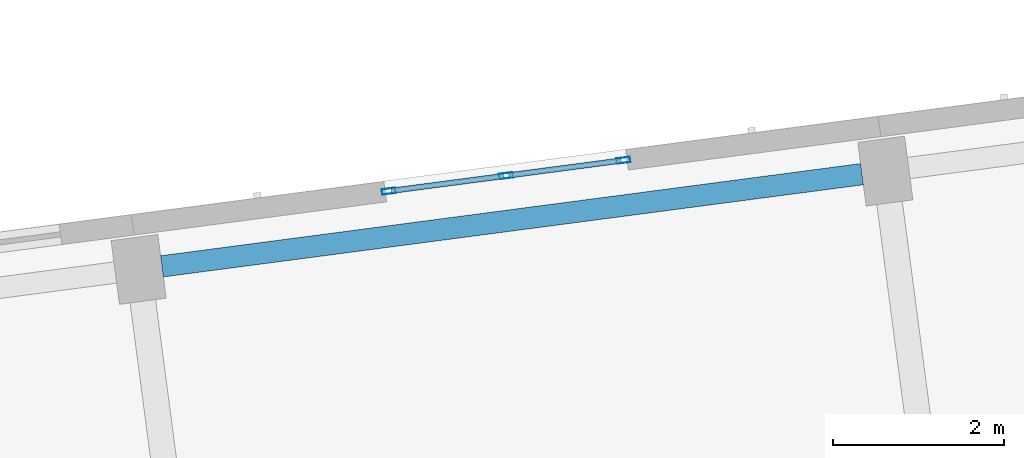
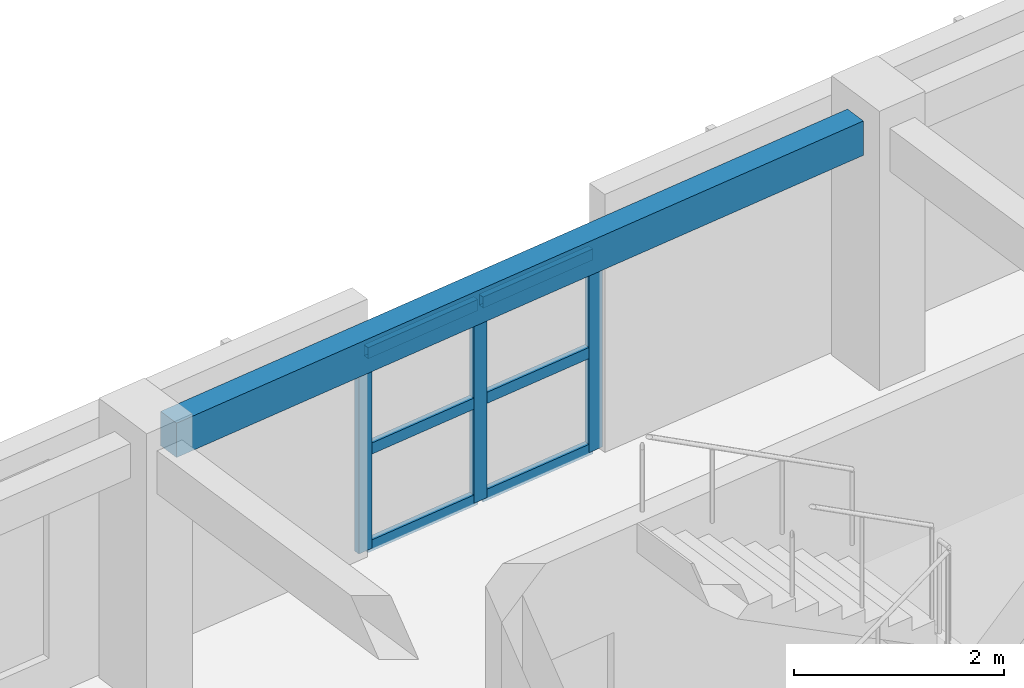
# One storey, part 34 of 127: 9 members, 1 beam, 1 element without a shape of its own.
"""IFC4 building model written with IfcOpenShell, lengths in metres."""

import ifcopenshell
import ifcopenshell.guid

model = None  # the IFC model being written
_history = None  # IfcOwnerHistory: only IFC2X3 demands one
_inside = {}  # id of a spatial element -> (the spatial element, [elements in it])
_under = {}  # id of a project, library or spatial element -> (it, [spatial elements below it])
_declared = {}  # id of a project -> (the project, [libraries it declares])
_typed = {}  # id of a type object -> (the type object, [elements of that type])
_made_of = {}  # id of a material, layer set ... -> (it, [elements and type objects made of it])


def new_model(schema):
    """Start an empty IFC model of exactly this schema.

    Asked for "IFC4X3", IfcOpenShell would pick the latest addendum, in which some entities
    have other attributes; the version numbers below select the first issue.
    IFC2X3 requires an IfcOwnerHistory on every rooted entity: one is made here for all.
    """
    global model, _history
    if schema == "IFC4X3":
        model = ifcopenshell.file(schema_version=(4, 3, 0, 0))
    else:
        model = ifcopenshell.file(schema=schema)
    _inside.clear()
    _under.clear()
    _declared.clear()
    _typed.clear()
    _made_of.clear()
    _history = None
    if model.schema == "IFC2X3":
        org = make("IfcOrganization", Name="unknown")
        user = make(
            "IfcPersonAndOrganization",
            ThePerson=make("IfcPerson", FamilyName="unknown"),
            TheOrganization=org,
        )
        app = make(
            "IfcApplication",
            ApplicationDeveloper=org,
            Version="unknown",
            ApplicationFullName="unknown",
            ApplicationIdentifier="unknown",
        )
        _history = make(
            "IfcOwnerHistory",
            OwningUser=user,
            OwningApplication=app,
            ChangeAction="ADDED",
            CreationDate=0,
        )
    return model


def make(cls, **values):
    """One entity of the class cls with the attributes given. An attribute that is None is left unset."""
    return model.create_entity(
        cls, **{name: value for name, value in values.items() if value is not None}
    )


def rooted(cls, **values):
    """An entity with a GlobalId (a new one), such as an element, a storey or a relation."""
    return make(cls, GlobalId=ifcopenshell.guid.new(), OwnerHistory=_history, **values)


def si_unit(unit_type, name, prefix=None):
    """IfcSIUnit, for example si_unit("LENGTHUNIT", "METRE", prefix="MILLI")."""
    return make("IfcSIUnit", UnitType=unit_type, Prefix=prefix, Name=name)


def assignment(units):
    """IfcUnitAssignment: the units of a project."""
    return None if units is None else make("IfcUnitAssignment", Units=units)


def point(xyz):
    """IfcCartesianPoint."""
    return None if xyz is None else make("IfcCartesianPoint", Coordinates=xyz)


def direction(xyz):
    """IfcDirection."""
    return None if xyz is None else make("IfcDirection", DirectionRatios=xyz)


def frame(location, z_axis=None, x_axis=None):
    """IfcAxis2Placement3D, a coordinate frame: its origin and axes. An axis left out is left unset."""
    return make(
        "IfcAxis2Placement3D",
        Location=point(location),
        Axis=direction(z_axis),
        RefDirection=direction(x_axis),
    )


def frame_2d(location, x_axis=None):
    """IfcAxis2Placement2D, a coordinate frame in the plane: its origin and x axis."""
    return make(
        "IfcAxis2Placement2D", Location=point(location), RefDirection=direction(x_axis)
    )


def origin():
    """The frame at (0, 0, 0) with its axes left unset."""
    return frame((0.0, 0.0, 0.0))


def origin_2d():
    """The frame at (0, 0) in the plane with its x axis left unset."""
    return frame_2d((0.0, 0.0))


def place(relative_to, where):
    """IfcLocalPlacement: puts the frame where relative to a parent placement (None: the world)."""
    return make(
        "IfcLocalPlacement", PlacementRelTo=relative_to, RelativePlacement=where
    )


def context(
    kind, dimensions, precision=None, world=None, true_north=None, identifier=None
):
    """IfcGeometricRepresentationContext, for example the 3D "Model" context."""
    return make(
        "IfcGeometricRepresentationContext",
        ContextIdentifier=identifier,
        ContextType=kind,
        CoordinateSpaceDimension=dimensions,
        Precision=precision,
        WorldCoordinateSystem=world,
        TrueNorth=true_north,
    )


def subcontext(parent, identifier, kind, view, scale=None):
    """IfcGeometricRepresentationSubContext, for example "Body" below "Model"."""
    return make(
        "IfcGeometricRepresentationSubContext",
        ContextIdentifier=identifier,
        ContextType=kind,
        ParentContext=parent,
        TargetScale=scale,
        TargetView=view,
    )


def project(units=None, contexts=None):
    """IfcProject with its units and contexts."""
    return rooted(
        "IfcProject",
        Name="project",
        RepresentationContexts=contexts,
        UnitsInContext=assignment(units),
    )


def spatial(cls, under=None, at=None, **own):
    """A site, building, storey or space (cls), placed at a placement, below another one or the project."""
    s = rooted(cls, ObjectPlacement=at, **own)
    if under is not None:
        _under.setdefault(under.id(), (under, []))[1].append(s)
    return s


def profile(cls, at=None, kind="AREA", **sizes):
    """A parametric profile (cls). Its sizes go by their IFC names, for example OverallWidth=200.0."""
    return make(cls, ProfileType=kind, Position=at, **sizes)


def rectangle(**sizes):
    """IfcRectangleProfileDef."""
    return profile("IfcRectangleProfileDef", **sizes)


def hollow_rectangle(**sizes):
    """IfcRectangleHollowProfileDef."""
    return profile("IfcRectangleHollowProfileDef", **sizes)


def extrude(swept, where, along, depth):
    """IfcExtrudedAreaSolid: the profile swept, set in the frame where, extruded along a direction by depth."""
    return make(
        "IfcExtrudedAreaSolid",
        SweptArea=swept,
        Position=where,
        ExtrudedDirection=direction(along),
        Depth=depth,
    )


def shape(context_of_items, identifier, shape_type, items):
    """IfcShapeRepresentation: the items that make up one representation, for example the "Body"."""
    return make(
        "IfcShapeRepresentation",
        ContextOfItems=context_of_items,
        RepresentationIdentifier=identifier,
        RepresentationType=shape_type,
        Items=items,
    )


def material(Name=None, Category=None):
    """IfcMaterial."""
    return make("IfcMaterial", Name=Name, Category=Category)


def material_profile(
    of_material, cross_section, Name=None, Category=None, Priority=None
):
    """IfcMaterialProfile: a cross section and its material."""
    return make(
        "IfcMaterialProfile",
        Name=Name,
        Material=of_material,
        Profile=cross_section,
        Priority=Priority,
        Category=Category,
    )


def profile_set(profiles, Name=None, composite=None):
    """IfcMaterialProfileSet."""
    return make(
        "IfcMaterialProfileSet",
        Name=Name,
        MaterialProfiles=profiles,
        CompositeProfile=composite,
    )


def made_of(thing, what):
    """Note that an element or type object is made of a material, layer set ...; save() writes the relation."""
    if what is not None:
        _made_of.setdefault(what.id(), (what, []))[1].append(thing)
    return thing


def type_object(cls, material=None, **own):
    """A type object (cls), such as IfcWallType, which elements share."""
    return made_of(rooted(cls, **own), material)


def element(
    cls,
    number,
    at=None,
    inside=None,
    cuts=None,
    type_object=None,
    material=None,
    context=None,
    identifier="Body",
    shape_type=None,
    held_by="IfcProductDefinitionShape",
    body=None,
    shapes=None,
    **own,
):
    """One element of the class cls, such as IfcWall. Its Tag is "e" and its number.

    at: its placement. inside: the storey or other place that contains it. cuts: it is an
    opening in that element (IfcRelVoidsElement). A single representation is given by context,
    identifier, shape_type and body (its items); several are given by shapes. held_by: the class
    of the entity that holds the representations. save() writes the other relations.
    """
    e = rooted(cls, Tag="e%d" % number, ObjectPlacement=at, **own)
    if body is not None:
        shapes = [shape(context, identifier, shape_type, body)]
    if shapes is not None:
        e.Representation = make(held_by, Representations=shapes)
    if inside is not None:
        _inside.setdefault(inside.id(), (inside, []))[1].append(e)
    if cuts is not None:
        rooted(
            "IfcRelVoidsElement", RelatingBuildingElement=cuts, RelatedOpeningElement=e
        )
    if type_object is not None:
        _typed.setdefault(type_object.id(), (type_object, []))[1].append(e)
    return made_of(e, material)


def aggregate(whole, parts):
    """IfcRelAggregates: a whole, such as a stair, and the parts it consists of."""
    return rooted("IfcRelAggregates", RelatingObject=whole, RelatedObjects=parts)


def save(model, path):
    """Write the relations noted so far, then the file.

    IfcRelAggregates (storeys below a building ...), IfcRelContainedInSpatialStructure (elements
    in a storey), IfcRelDefinesByType, IfcRelAssociatesMaterial and IfcRelDeclares: one each for
    every whole, place, type object, material and project.
    """
    for whole, parts in _under.values():
        aggregate(whole, parts)
    for where, things in _inside.values():
        rooted(
            "IfcRelContainedInSpatialStructure",
            RelatedElements=things,
            RelatingStructure=where,
        )
    for kind, things in _typed.values():
        rooted("IfcRelDefinesByType", RelatedObjects=things, RelatingType=kind)
    for what, things in _made_of.values():
        rooted("IfcRelAssociatesMaterial", RelatedObjects=things, RelatingMaterial=what)
    for by, libraries in _declared.values():
        rooted("IfcRelDeclares", RelatingContext=by, RelatedDefinitions=libraries)
    model.write(path)


model = new_model("IFC4")

# Units and contexts
model_context = context("Model", 3, precision=1e-05, world=origin(), true_north=direction((0.0, 1.0)))
body_context = subcontext(model_context, "Body", "Model", "MODEL_VIEW")
ifc_project = project(units=[si_unit("LENGTHUNIT", "METRE"), si_unit("AREAUNIT", "SQUARE_METRE"), si_unit("VOLUMEUNIT", "CUBIC_METRE"), si_unit("PLANEANGLEUNIT", "RADIAN"), si_unit("MASSUNIT", "GRAM", prefix="KILO")], contexts=[model_context])

# Site, building, storey
site_placement = place(None, origin())
site = spatial("IfcSite", under=ifc_project, at=site_placement, CompositionType="ELEMENT")
building_placement = place(site_placement, origin())
building = spatial("IfcBuilding", under=site, at=building_placement, Name="Kestramere Prow Commons", CompositionType="ELEMENT")
storey_placement = place(building_placement, frame((0.0, 0.0, 8.39990234375)))
storey = spatial("IfcBuildingStorey", under=building, at=storey_placement, Name="L02", CompositionType="ELEMENT", Elevation=8.39990234375)

# Curtain wall, members
ifc_material_1 = material(Name="Anodised Aluminium and Low-E Glass", Category="aluminium")
curtain_wall_type = type_object("IfcCurtainWallType", Name="CW-03 Glazed Curtain Wall 2830x2320", PredefinedType="USERDEFINED", material=ifc_material_1)
curtain_wall_placement = place(storey_placement, origin())
curtain_wall = element("IfcCurtainWall", 1, at=curtain_wall_placement, inside=storey, type_object=curtain_wall_type, Name="Block A L02 Stairwell Vertical Glazing 2", ObjectType="GLAZED CURTAIN WALL", PredefinedType="USERDEFINED")
ifc_material_2 = material(Name="Anodised Aluminium 6063-T6", Category="aluminium")
ifc_material_profile_1 = material_profile(ifc_material_2, hollow_rectangle(XDim=0.06494140625, YDim=0.159912109375, WallThickness=0.00390625, at=origin_2d()), Name="ALU-MUL 65x160")
ifc_profile_set_1 = profile_set([ifc_material_profile_1], Name="Anodised Aluminium 6063-T6")
member_type_1 = type_object("IfcMemberType", Name="CW-MUL-65x160", PredefinedType="MULLION", material=ifc_profile_set_1)
member_1_placement = place(storey_placement, frame((20.2373046875, 93.891845703125, 0.0), z_axis=(0.0, 0.0, 1.0), x_axis=(-0.13052614723, 0.991444867297, 0.0)))
member_1 = element("IfcMember", 2, at=member_1_placement, type_object=member_type_1, Name="CW-03 mullion 1", PredefinedType="MULLION", context=body_context, shape_type="SweptSolid", body=[
    extrude(hollow_rectangle(XDim=0.06494140625, YDim=0.159912109375, WallThickness=0.00390625, at=origin_2d()), origin(), (0.0, 0.0, 1.0), 2.320068359375),
])
member_2_placement = place(storey_placement, frame((21.60791015625, 94.072265625, 0.0), z_axis=(0.0, 0.0, 1.0), x_axis=(-0.13052614723, 0.991444867297, 0.0)))
member_2 = element("IfcMember", 3, at=member_2_placement, type_object=member_type_1, Name="CW-03 mullion 2", PredefinedType="MULLION", context=body_context, shape_type="SweptSolid", body=[
    extrude(hollow_rectangle(XDim=0.06494140625, YDim=0.159912109375, WallThickness=0.00390625, at=origin_2d()), origin(), (0.0, 0.0, 1.0), 2.320068359375),
])
member_3_placement = place(storey_placement, frame((22.978759765625, 94.252685546875, 0.0), z_axis=(0.0, 0.0, 1.0), x_axis=(-0.13052614723, 0.991444867297, 0.0)))
member_3 = element("IfcMember", 4, at=member_3_placement, type_object=member_type_1, Name="CW-03 mullion 3", PredefinedType="MULLION", context=body_context, shape_type="SweptSolid", body=[
    extrude(hollow_rectangle(XDim=0.06494140625, YDim=0.159912109375, WallThickness=0.00390625, at=origin_2d()), origin(), (0.0, 0.0, 1.0), 2.320068359375),
])
ifc_material_profile_2 = material_profile(ifc_material_2, hollow_rectangle(XDim=0.06494140625, YDim=0.1298828125, WallThickness=0.00390625, at=origin_2d()), Name="ALU-TRN 65x130")
ifc_profile_set_2 = profile_set([ifc_material_profile_2], Name="Anodised Aluminium 6063-T6")
member_type_2 = type_object("IfcMemberType", Name="CW-TRN-65x130", PredefinedType="USERDEFINED", material=ifc_profile_set_2)
member_4_placement = place(storey_placement, frame((20.26953125, 93.896240234375, 0.03271484375), z_axis=(0.991453033969, 0.130464100171, 0.0), x_axis=(-0.130464100171, 0.991453033969, 0.0)))
member_4 = element("IfcMember", 5, at=member_4_placement, type_object=member_type_2, Name="CW-03 transom 1.1", ObjectType="TRANSOM", PredefinedType="USERDEFINED", context=body_context, shape_type="SweptSolid", body=[
    extrude(hollow_rectangle(XDim=0.06494140625, YDim=0.1298828125, WallThickness=0.00390625, at=origin_2d()), origin(), (0.0, 0.0, 1.0), 1.3173828125),
])
member_5_placement = place(storey_placement, frame((20.26953125, 93.896240234375, 1.16015625), z_axis=(0.991453033969, 0.130464100171, 0.0), x_axis=(-0.130464100171, 0.991453033969, 0.0)))
member_5 = element("IfcMember", 6, at=member_5_placement, type_object=member_type_2, Name="CW-03 transom 1.2", ObjectType="TRANSOM", PredefinedType="USERDEFINED", context=body_context, shape_type="SweptSolid", body=[
    extrude(hollow_rectangle(XDim=0.06494140625, YDim=0.1298828125, WallThickness=0.00390625, at=origin_2d()), origin(), (0.0, 0.0, 1.0), 1.3173828125),
])
member_6_placement = place(storey_placement, frame((20.26953125, 93.896240234375, 2.28759765625), z_axis=(0.991453033969, 0.130464100171, 0.0), x_axis=(-0.130464100171, 0.991453033969, 0.0)))
member_6 = element("IfcMember", 7, at=member_6_placement, type_object=member_type_2, Name="CW-03 transom 1.3", ObjectType="TRANSOM", PredefinedType="USERDEFINED", context=body_context, shape_type="SweptSolid", body=[
    extrude(hollow_rectangle(XDim=0.06494140625, YDim=0.1298828125, WallThickness=0.00390625, at=origin_2d()), origin(), (0.0, 0.0, 1.0), 1.3173828125),
])
member_7_placement = place(storey_placement, frame((21.64013671875, 94.07666015625, 0.03271484375), z_axis=(0.991456187381, 0.130440133791, 0.0), x_axis=(-0.130440133791, 0.991456187381, 0.0)))
member_7 = element("IfcMember", 8, at=member_7_placement, type_object=member_type_2, Name="CW-03 transom 2.1", ObjectType="TRANSOM", PredefinedType="USERDEFINED", context=body_context, shape_type="SweptSolid", body=[
    extrude(hollow_rectangle(XDim=0.06494140625, YDim=0.1298828125, WallThickness=0.00390625, at=origin_2d()), origin(), (0.0, 0.0, 1.0), 1.317626953125),
])
member_8_placement = place(storey_placement, frame((21.64013671875, 94.07666015625, 1.16015625), z_axis=(0.991456187381, 0.130440133791, 0.0), x_axis=(-0.130440133791, 0.991456187381, 0.0)))
member_8 = element("IfcMember", 9, at=member_8_placement, type_object=member_type_2, Name="CW-03 transom 2.2", ObjectType="TRANSOM", PredefinedType="USERDEFINED", context=body_context, shape_type="SweptSolid", body=[
    extrude(hollow_rectangle(XDim=0.06494140625, YDim=0.1298828125, WallThickness=0.00390625, at=origin_2d()), origin(), (0.0, 0.0, 1.0), 1.317626953125),
])
member_9_placement = place(storey_placement, frame((21.64013671875, 94.07666015625, 2.28759765625), z_axis=(0.991456187381, 0.130440133791, 0.0), x_axis=(-0.130440133791, 0.991456187381, 0.0)))
member_9 = element("IfcMember", 10, at=member_9_placement, type_object=member_type_2, Name="CW-03 transom 2.3", ObjectType="TRANSOM", PredefinedType="USERDEFINED", context=body_context, shape_type="SweptSolid", body=[
    extrude(hollow_rectangle(XDim=0.06494140625, YDim=0.1298828125, WallThickness=0.00390625, at=origin_2d()), origin(), (0.0, 0.0, 1.0), 1.317626953125),
])
aggregate(curtain_wall, [member_1, member_2, member_3, member_4, member_5, member_6, member_7, member_8, member_9])

# Beam
ifc_material_3 = material(Name="Precast concrete C40/50", Category="concrete")
ifc_material_profile_3 = material_profile(ifc_material_3, rectangle(XDim=0.25, YDim=0.39990234375, at=origin_2d()), Name="PC-SP 250x400")
ifc_profile_set_3 = profile_set([ifc_material_profile_3], Name="Precast concrete C40/50")
beam_type = type_object("IfcBeamType", Name="SP-EXT-01 PC-SP 250x400", PredefinedType="SPANDREL", material=ifc_profile_set_3)
beam_placement = place(storey_placement, frame((17.5869140625, 93.013427734375, 2.800048828125), z_axis=(0.991443917843, 0.130533358852, 0.0), x_axis=(-0.130533358852, 0.991443917843, 0.0)))
element("IfcBeam", 11, at=beam_placement, inside=storey, type_object=beam_type, Name="Block A L02 Longitudinal Beam 4-2", PredefinedType="SPANDREL", context=body_context, shape_type="SweptSolid", body=[
    extrude(rectangle(XDim=0.25, YDim=0.39990234375, at=origin_2d()), origin(), (0.0, 0.0, 1.0), 8.25),
])

save(model, "model.ifc")
